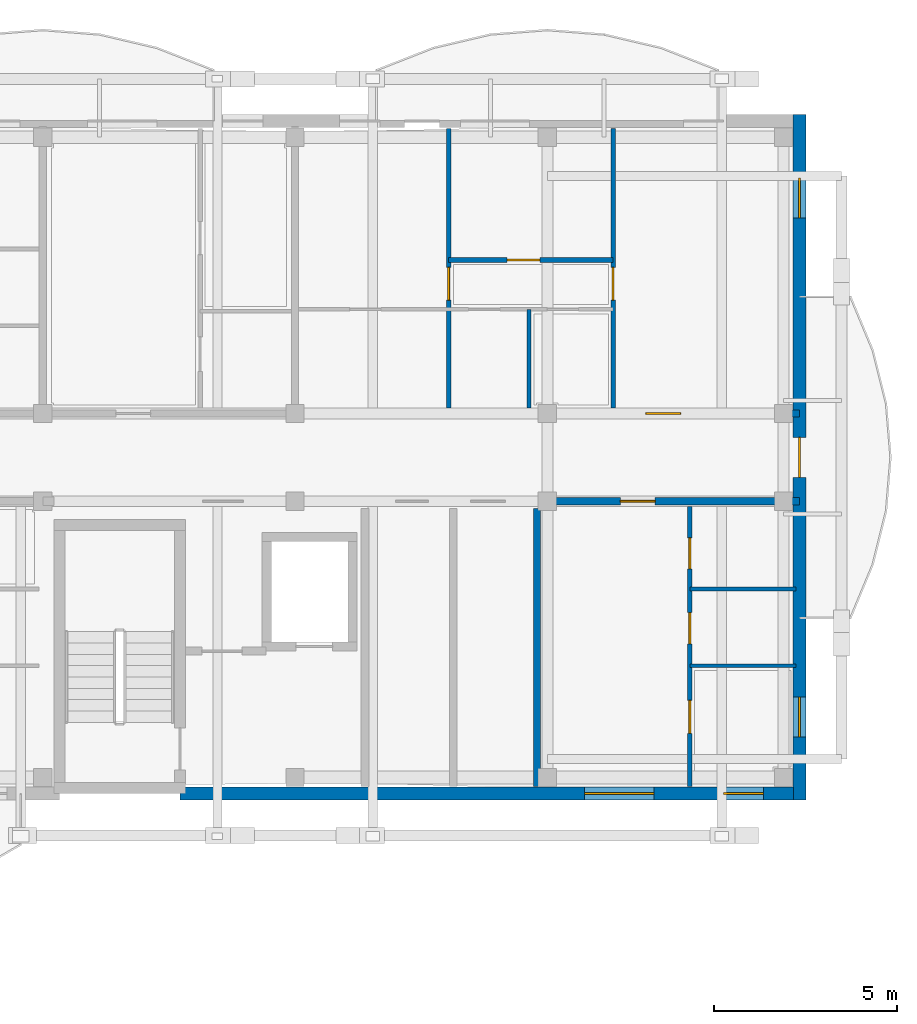
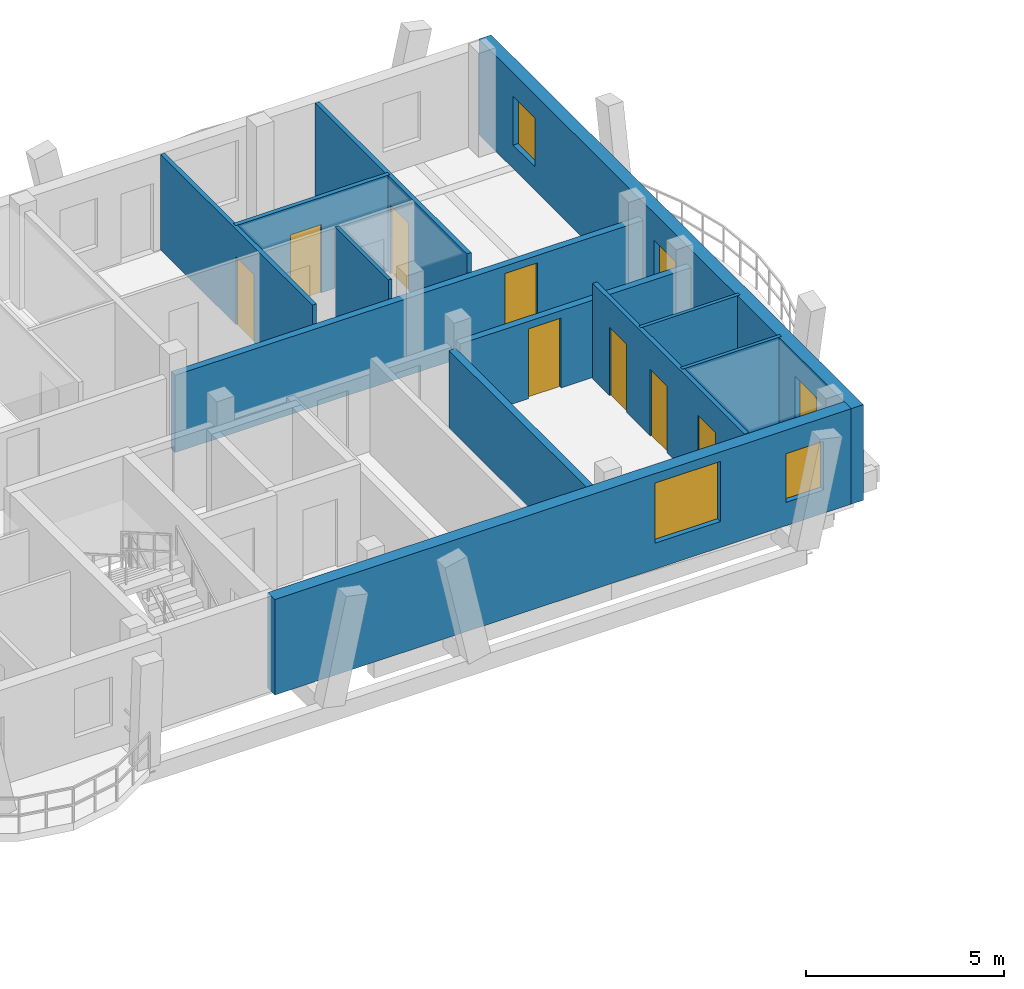
# One storey, part 37 of 50: 12 walls, 9 doors, 4 windows, 13 openings.
"""IFC4 building model written with IfcOpenShell, lengths in metres."""

from ifc_helpers import new_model, si_unit, direction, frame, frame_2d, origin, origin_with_axes, place, context, subcontext, project, spatial, rectangle, extrude, material, layer, layer_set, type_object, element, fill, save


model = new_model("IFC4")

# Units and contexts
model_context = context("Model", 3, precision=1e-05, world=origin(), true_north=direction((0.0, 1.0)))
body_context = subcontext(model_context, "Body", "Model", "MODEL_VIEW")
ifc_project = project(units=[si_unit("LENGTHUNIT", "METRE"), si_unit("AREAUNIT", "SQUARE_METRE"), si_unit("VOLUMEUNIT", "CUBIC_METRE"), si_unit("PLANEANGLEUNIT", "RADIAN"), si_unit("MASSUNIT", "GRAM", prefix="KILO")], contexts=[model_context])

# Site, building, storey
site_placement = place(None, origin())
site = spatial("IfcSite", under=ifc_project, at=site_placement, CompositionType="ELEMENT")
building_placement = place(site_placement, origin())
building = spatial("IfcBuilding", under=site, at=building_placement, Name="Zavelmont Quarter", CompositionType="ELEMENT")
storey_placement = place(building_placement, frame((0.0, 0.0, 11.199951171875)))
storey = spatial("IfcBuildingStorey", under=building, at=storey_placement, Name="L03", CompositionType="ELEMENT", Elevation=11.199951171875)

# Wall, openings, windows
ifc_material_1 = material(Name="Natural Belgian limestone", Category="masonry")
ifc_layer_1 = layer(ifc_material_1, 0.360107421875)
ifc_layer_set_1 = layer_set([ifc_layer_1], Name="Natural Belgian limestone")
wall_type_1 = type_object("IfcWallType", Name="EW02", PredefinedType="STANDARD", material=ifc_layer_set_1)
wall_1_placement = place(storey_placement, frame((151.050048828125, 97.60009765625, 0.0), z_axis=(0.0, 0.0, 1.0), x_axis=(1.0, 0.0, 0.0)))
wall_1 = element("IfcWall", 1, at=wall_1_placement, inside=storey, type_object=wall_type_1, Name="L03 exterior limestone wall EW02", PredefinedType="STANDARD", context=body_context, shape_type="SweptSolid", body=[
    extrude(rectangle(XDim=16.780029296875, YDim=0.360107421875, at=frame_2d((8.39013671875, 0.0))), origin(), (0.0, 0.0, 1.0), 2.93994140625),
])
opening_1_placement = place(wall_1_placement, frame((11.070068359375, 0.0, 0.800048828125)))
opening_1 = element("IfcOpeningElement", 2, at=opening_1_placement, cuts=wall_1, Name="Opening WN20", PredefinedType="OPENING", context=body_context, shape_type="SweptSolid", body=[
    extrude(rectangle(XDim=1.89990234375, YDim=1.85009765625, at=frame_2d((0.949951171875, 0.925048828125))), frame((0.0, 0.19189453125, 0.0), z_axis=(0.0, -1.0, 0.0), x_axis=(1.0, 0.0, 0.0)), (0.0, 0.0, 1.0), 0.384033203125),
])
opening_2_placement = place(wall_1_placement, frame((14.8701171875, 0.0, 0.719970703125)))
opening_2 = element("IfcOpeningElement", 3, at=opening_2_placement, cuts=wall_1, Name="Opening WN09", PredefinedType="OPENING", context=body_context, shape_type="SweptSolid", body=[
    extrude(rectangle(XDim=1.10009765625, YDim=1.5, at=frame_2d((0.550048828125, 0.75))), frame((0.0, 0.19189453125, 0.0), z_axis=(0.0, -1.0, 0.0), x_axis=(1.0, 0.0, 0.0)), (0.0, 0.0, 1.0), 0.384033203125),
])
ifc_material_2 = material(Name="Double low-E insulated glazing in thermally broken aluminium frame", Category="aluminium")
window_type_1 = type_object("IfcWindowType", Name="WN09", PartitioningType="SINGLE_PANEL", PredefinedType="WINDOW", material=ifc_material_2)
window_1_placement = place(opening_2_placement, origin_with_axes())
window_1 = element("IfcWindow", 4, at=window_1_placement, inside=storey, type_object=window_type_1, Name="L03 window WN09", OverallHeight=1.5, OverallWidth=1.10009765625, PartitioningType="SINGLE_PANEL", PredefinedType="WINDOW", context=body_context, shape_type="SweptSolid", body=[
    extrude(rectangle(XDim=1.10009765625, YDim=1.5, at=frame_2d((0.550048828125, 0.75))), frame((0.0, 0.030029296875, 0.0), z_axis=(0.0, -1.0, 0.0), x_axis=(1.0, 0.0, 0.0)), (0.0, 0.0, 1.0), 0.06005859375),
])
fill(opening_2, window_1)
window_type_2 = type_object("IfcWindowType", Name="WN20", PartitioningType="SINGLE_PANEL", PredefinedType="WINDOW", material=ifc_material_2)
window_2_placement = place(opening_1_placement, origin_with_axes())
window_2 = element("IfcWindow", 5, at=window_2_placement, inside=storey, type_object=window_type_2, Name="L03 window WN20", OverallHeight=1.85009765625, OverallWidth=1.89990234375, PartitioningType="SINGLE_PANEL", PredefinedType="WINDOW", context=body_context, shape_type="SweptSolid", body=[
    extrude(rectangle(XDim=1.89990234375, YDim=1.85009765625, at=frame_2d((0.949951171875, 0.925048828125))), frame((0.0, 0.030029296875, 0.0), z_axis=(0.0, -1.0, 0.0), x_axis=(1.0, 0.0, 0.0)), (0.0, 0.0, 1.0), 0.06005859375),
])
fill(opening_1, window_2)

# Wall, openings, door, windows
wall_2_placement = place(storey_placement, frame((168.0, 97.419921875, 0.0), z_axis=(0.0, 0.0, 1.0), x_axis=(0.0, 1.0, 0.0)))
wall_2 = element("IfcWall", 6, at=wall_2_placement, inside=storey, type_object=wall_type_1, Name="L03 exterior limestone wall EW02", PredefinedType="STANDARD", context=body_context, shape_type="SweptSolid", body=[
    extrude(rectangle(XDim=18.760009765625, YDim=0.360107421875, at=frame_2d((9.3798828125, 0.0))), origin(), (0.0, 0.0, 1.0), 2.93994140625),
])
opening_3_placement = place(wall_2_placement, frame((8.830078125, 0.0, 0.0)))
opening_3 = element("IfcOpeningElement", 7, at=opening_3_placement, cuts=wall_2, Name="Opening DR04B", PredefinedType="OPENING", context=body_context, shape_type="SweptSolid", body=[
    extrude(rectangle(XDim=1.10009765625, YDim=2.10009765625, at=frame_2d((0.550048828125, 1.050048828125))), frame((0.0, 0.19189453125, 0.0), z_axis=(0.0, -1.0, 0.0), x_axis=(1.0, 0.0, 0.0)), (0.0, 0.0, 1.0), 0.384033203125),
])
opening_4_placement = place(wall_2_placement, frame((1.72998046875, 0.0, 0.719970703125)))
opening_4 = element("IfcOpeningElement", 8, at=opening_4_placement, cuts=wall_2, Name="Opening WN09", PredefinedType="OPENING", context=body_context, shape_type="SweptSolid", body=[
    extrude(rectangle(XDim=1.10009765625, YDim=1.5, at=frame_2d((0.550048828125, 0.75))), frame((0.0, 0.19189453125, 0.0), z_axis=(0.0, -1.0, 0.0), x_axis=(1.0, 0.0, 0.0)), (0.0, 0.0, 1.0), 0.384033203125),
])
opening_5_placement = place(wall_2_placement, frame((15.929931640625, 0.0, 0.719970703125)))
opening_5 = element("IfcOpeningElement", 9, at=opening_5_placement, cuts=wall_2, Name="Opening WN09", PredefinedType="OPENING", context=body_context, shape_type="SweptSolid", body=[
    extrude(rectangle(XDim=1.10009765625, YDim=1.5, at=frame_2d((0.550048828125, 0.75))), frame((0.0, 0.19189453125, 0.0), z_axis=(0.0, -1.0, 0.0), x_axis=(1.0, 0.0, 0.0)), (0.0, 0.0, 1.0), 0.384033203125),
])
ifc_material_3 = material(Name="Thermally broken aluminium and double safety glass", Category="aluminium")
door_type_1 = type_object("IfcDoorType", Name="DR04B", OperationType="NOTDEFINED", PredefinedType="DOOR", material=ifc_material_3)
door_1_placement = place(opening_3_placement, origin_with_axes())
door_1 = element("IfcDoor", 10, at=door_1_placement, inside=storey, type_object=door_type_1, Name="Block C L03 terrace or vase balcony door", OperationType="SINGLE_SWING_LEFT", OverallHeight=2.10009765625, OverallWidth=1.10009765625, PredefinedType="DOOR", context=body_context, shape_type="SweptSolid", body=[
    extrude(rectangle(XDim=1.10009765625, YDim=2.10009765625, at=frame_2d((0.550048828125, 1.050048828125))), frame((0.0, 0.02490234375, 0.0), z_axis=(0.0, -1.0, 0.0), x_axis=(1.0, 0.0, 0.0)), (0.0, 0.0, 1.0), 0.050048828125),
])
fill(opening_3, door_1)
window_3_placement = place(opening_4_placement, origin_with_axes())
window_3 = element("IfcWindow", 11, at=window_3_placement, inside=storey, type_object=window_type_1, Name="L03 window WN09", OverallHeight=1.5, OverallWidth=1.10009765625, PartitioningType="SINGLE_PANEL", PredefinedType="WINDOW", context=body_context, shape_type="SweptSolid", body=[
    extrude(rectangle(XDim=1.10009765625, YDim=1.5, at=frame_2d((0.550048828125, 0.75))), frame((0.0, 0.030029296875, 0.0), z_axis=(0.0, -1.0, 0.0), x_axis=(1.0, 0.0, 0.0)), (0.0, 0.0, 1.0), 0.06005859375),
])
fill(opening_4, window_3)
window_4_placement = place(opening_5_placement, origin_with_axes())
window_4 = element("IfcWindow", 12, at=window_4_placement, inside=storey, type_object=window_type_1, Name="L03 window WN09", OverallHeight=1.5, OverallWidth=1.10009765625, PartitioningType="SINGLE_PANEL", PredefinedType="WINDOW", context=body_context, shape_type="SweptSolid", body=[
    extrude(rectangle(XDim=1.10009765625, YDim=1.5, at=frame_2d((0.550048828125, 0.75))), frame((0.0, 0.030029296875, 0.0), z_axis=(0.0, -1.0, 0.0), x_axis=(1.0, 0.0, 0.0)), (0.0, 0.0, 1.0), 0.06005859375),
])
fill(opening_5, window_4)

# Wall
ifc_material_4 = material(Name="Calcium-silicate blockwork and acoustic plaster", Category="masonry")
ifc_layer_2 = layer(ifc_material_4, 0.199951171875)
ifc_layer_set_2 = layer_set([ifc_layer_2], Name="Calcium-silicate blockwork and acoustic plaster")
wall_type_2 = type_object("IfcWallType", Name="IW01", PredefinedType="PARTITIONING", material=ifc_layer_set_2)
wall_3_placement = place(storey_placement, frame((160.820068359375, 97.800048828125, 0.0), z_axis=(0.0, 0.0, 1.0), x_axis=(0.0, 1.0, 0.0)))
element("IfcWall", 13, at=wall_3_placement, inside=storey, type_object=wall_type_2, Name="L03 Core service end wall IW01", PredefinedType="PARTITIONING", context=body_context, shape_type="SweptSolid", body=[
    extrude(rectangle(XDim=7.599853515625, YDim=0.199951171875, at=frame_2d((3.7998046875, 0.0))), origin(), (0.0, 0.0, 1.0), 2.380126953125),
])

# Wall, opening, door
wall_4_placement = place(storey_placement, frame((154.199951171875, 108.0, 0.0), z_axis=(0.0, 0.0, 1.0), x_axis=(1.0, 0.0, 0.0)))
wall_4 = element("IfcWall", 14, at=wall_4_placement, inside=storey, type_object=wall_type_2, Name="L03 Corridor compartment wall IW01", PredefinedType="PARTITIONING", context=body_context, shape_type="SweptSolid", body=[
    extrude(rectangle(XDim=13.800048828125, YDim=0.199951171875, at=frame_2d((6.89990234375, 0.0))), origin(), (0.0, 0.0, 1.0), 2.380126953125),
])
opening_6_placement = place(wall_4_placement, frame((9.60009765625, 0.0, 0.0)))
opening_6 = element("IfcOpeningElement", 15, at=opening_6_placement, cuts=wall_4, Name="Opening DR02", PredefinedType="OPENING", context=body_context, shape_type="SweptSolid", body=[
    extrude(rectangle(XDim=0.949951171875, YDim=2.14990234375, at=frame_2d((0.47509765625, 1.074951171875))), frame((0.0, 0.11181640625, 0.0), z_axis=(0.0, -1.0, 0.0), x_axis=(1.0, 0.0, 0.0)), (0.0, 0.0, 1.0), 0.223876953125),
])
ifc_material_5 = material(Name="Solid-core oak fire leaf in steel frame", Category="steel")
door_type_2 = type_object("IfcDoorType", Name="DR02", OperationType="NOTDEFINED", PredefinedType="DOOR", material=ifc_material_5)
door_2_placement = place(opening_6_placement, origin_with_axes())
door_2 = element("IfcDoor", 16, at=door_2_placement, inside=storey, type_object=door_type_2, Name="L03 door DR02", OperationType="SINGLE_SWING_LEFT", OverallHeight=2.14990234375, OverallWidth=0.949951171875, PredefinedType="DOOR", context=body_context, shape_type="SweptSolid", body=[
    extrude(rectangle(XDim=0.949951171875, YDim=2.14990234375, at=frame_2d((0.47509765625, 1.074951171875))), frame((0.0, 0.02490234375, 0.0), z_axis=(0.0, -1.0, 0.0), x_axis=(1.0, 0.0, 0.0)), (0.0, 0.0, 1.0), 0.050048828125),
])
fill(opening_6, door_2)

wall_5_placement = place(storey_placement, frame((161.10009765625, 105.60009765625, 0.0), z_axis=(0.0, 0.0, 1.0), x_axis=(1.0, 0.0, 0.0)))
wall_5 = element("IfcWall", 17, at=wall_5_placement, inside=storey, type_object=wall_type_2, Name="L03 Corridor compartment wall IW01", PredefinedType="PARTITIONING", context=body_context, shape_type="SweptSolid", body=[
    extrude(rectangle(XDim=6.89990234375, YDim=0.199951171875, at=frame_2d((3.449951171875, 0.0))), origin(), (0.0, 0.0, 1.0), 2.380126953125),
])
opening_7_placement = place(wall_5_placement, frame((2.0, 0.0, 0.0)))
opening_7 = element("IfcOpeningElement", 18, at=opening_7_placement, cuts=wall_5, Name="Opening DR02", PredefinedType="OPENING", context=body_context, shape_type="SweptSolid", body=[
    extrude(rectangle(XDim=0.949951171875, YDim=2.14990234375, at=frame_2d((0.47509765625, 1.074951171875))), frame((0.0, 0.11181640625, 0.0), z_axis=(0.0, -1.0, 0.0), x_axis=(1.0, 0.0, 0.0)), (0.0, 0.0, 1.0), 0.223876953125),
])
door_3_placement = place(opening_7_placement, frame((0.949951171875, 0.0, 0.0), z_axis=(0.0, 0.0, 1.0), x_axis=(-1.0, 0.0, 0.0)))
door_3 = element("IfcDoor", 19, at=door_3_placement, inside=storey, type_object=door_type_2, Name="L03 door DR02", OperationType="SINGLE_SWING_RIGHT", OverallHeight=2.14990234375, OverallWidth=0.949951171875, PredefinedType="DOOR", context=body_context, shape_type="SweptSolid", body=[
    extrude(rectangle(XDim=0.949951171875, YDim=2.14990234375, at=frame_2d((0.47509765625, 1.074951171875))), frame((0.0, 0.02490234375, 0.0), z_axis=(0.0, -1.0, 0.0), x_axis=(1.0, 0.0, 0.0)), (0.0, 0.0, 1.0), 0.050048828125),
])
fill(opening_7, door_3)

ifc_material_6 = material(Name="Double gypsum board on acoustic steel stud", Category="steel")
ifc_layer_3 = layer(ifc_material_6, 0.125)
ifc_layer_set_3 = layer_set([ifc_layer_3], Name="Double gypsum board on acoustic steel stud")
wall_type_3 = type_object("IfcWallType", Name="IW03", PredefinedType="PARTITIONING", material=ifc_layer_set_3)
wall_6_placement = place(storey_placement, frame((162.89990234375, 108.14990234375, 0.0), z_axis=(0.0, 0.0, 1.0), x_axis=(0.0, 1.0, 0.0)))
wall_6 = element("IfcWall", 20, at=wall_6_placement, inside=storey, type_object=wall_type_3, Name="L03 Partition IW03", PredefinedType="PARTITIONING", context=body_context, shape_type="SweptSolid", body=[
    extrude(rectangle(XDim=7.650146484375, YDim=0.125, at=frame_2d((3.8251953125, 0.0))), origin(), (0.0, 0.0, 1.0), 2.93994140625),
])
opening_8_placement = place(wall_6_placement, frame((2.949951171875, 0.0, 0.0)))
opening_8 = element("IfcOpeningElement", 21, at=opening_8_placement, cuts=wall_6, Name="Opening DR05", PredefinedType="OPENING", context=body_context, shape_type="SweptSolid", body=[
    extrude(rectangle(XDim=0.89990234375, YDim=2.10009765625, at=frame_2d((0.449951171875, 1.050048828125))), frame((0.0, 0.074462890625, 0.0), z_axis=(0.0, -1.0, 0.0), x_axis=(1.0, 0.0, 0.0)), (0.0, 0.0, 1.0), 0.14892578125),
])
ifc_material_7 = material(Name="Engineered oak flush interior door")
door_type_3 = type_object("IfcDoorType", Name="DR05", OperationType="NOTDEFINED", PredefinedType="DOOR", material=ifc_material_7)
door_4_placement = place(opening_8_placement, origin_with_axes())
door_4 = element("IfcDoor", 22, at=door_4_placement, inside=storey, type_object=door_type_3, Name="L03 door DR05", OperationType="SINGLE_SWING_LEFT", OverallHeight=2.10009765625, OverallWidth=0.89990234375, PredefinedType="DOOR", context=body_context, shape_type="SweptSolid", body=[
    extrude(rectangle(XDim=0.89990234375, YDim=2.10009765625, at=frame_2d((0.449951171875, 1.050048828125))), frame((0.0, 0.02490234375, 0.0), z_axis=(0.0, -1.0, 0.0), x_axis=(1.0, 0.0, 0.0)), (0.0, 0.0, 1.0), 0.050048828125),
])
fill(opening_8, door_4)

wall_7_placement = place(storey_placement, frame((158.39990234375, 108.14990234375, 0.0), z_axis=(0.0, 0.0, 1.0), x_axis=(0.0, 1.0, 0.0)))
wall_7 = element("IfcWall", 23, at=wall_7_placement, inside=storey, type_object=wall_type_3, Name="L03 Partition IW03", PredefinedType="PARTITIONING", context=body_context, shape_type="SweptSolid", body=[
    extrude(rectangle(XDim=7.650146484375, YDim=0.125, at=frame_2d((3.8251953125, 0.0))), origin(), (0.0, 0.0, 1.0), 2.93994140625),
])
opening_9_placement = place(wall_7_placement, frame((2.949951171875, 0.0, 0.0)))
opening_9 = element("IfcOpeningElement", 24, at=opening_9_placement, cuts=wall_7, Name="Opening DR05", PredefinedType="OPENING", context=body_context, shape_type="SweptSolid", body=[
    extrude(rectangle(XDim=0.89990234375, YDim=2.10009765625, at=frame_2d((0.449951171875, 1.050048828125))), frame((0.0, 0.074462890625, 0.0), z_axis=(0.0, -1.0, 0.0), x_axis=(1.0, 0.0, 0.0)), (0.0, 0.0, 1.0), 0.14892578125),
])
door_5_placement = place(opening_9_placement, frame((0.89990234375, 0.0, 0.0), z_axis=(0.0, 0.0, 1.0), x_axis=(-1.0, 0.0, 0.0)))
door_5 = element("IfcDoor", 25, at=door_5_placement, inside=storey, type_object=door_type_3, Name="L03 door DR05", OperationType="SINGLE_SWING_RIGHT", OverallHeight=2.10009765625, OverallWidth=0.89990234375, PredefinedType="DOOR", context=body_context, shape_type="SweptSolid", body=[
    extrude(rectangle(XDim=0.89990234375, YDim=2.10009765625, at=frame_2d((0.449951171875, 1.050048828125))), frame((0.0, 0.02490234375, 0.0), z_axis=(0.0, -1.0, 0.0), x_axis=(1.0, 0.0, 0.0)), (0.0, 0.0, 1.0), 0.050048828125),
])
fill(opening_9, door_5)

wall_8_placement = place(storey_placement, frame((158.39990234375, 112.199951171875, 0.0), z_axis=(0.0, 0.0, 1.0), x_axis=(1.0, 0.0, 0.0)))
wall_8 = element("IfcWall", 26, at=wall_8_placement, inside=storey, type_object=wall_type_3, Name="L03 Partition IW03", PredefinedType="PARTITIONING", context=body_context, shape_type="SweptSolid", body=[
    extrude(rectangle(XDim=4.5, YDim=0.125, at=frame_2d((2.25, 0.0))), origin(), (0.0, 0.0, 1.0), 2.93994140625),
])
opening_10_placement = place(wall_8_placement, frame((1.60009765625, 0.0, 0.0)))
opening_10 = element("IfcOpeningElement", 27, at=opening_10_placement, cuts=wall_8, Name="Opening DR05", PredefinedType="OPENING", context=body_context, shape_type="SweptSolid", body=[
    extrude(rectangle(XDim=0.89990234375, YDim=2.10009765625, at=frame_2d((0.449951171875, 1.050048828125))), frame((0.0, 0.074462890625, 0.0), z_axis=(0.0, -1.0, 0.0), x_axis=(1.0, 0.0, 0.0)), (0.0, 0.0, 1.0), 0.14892578125),
])
door_6_placement = place(opening_10_placement, frame((0.89990234375, 0.0, 0.0), z_axis=(0.0, 0.0, 1.0), x_axis=(-1.0, 0.0, 0.0)))
door_6 = element("IfcDoor", 28, at=door_6_placement, inside=storey, type_object=door_type_3, Name="L03 door DR05", OperationType="SINGLE_SWING_RIGHT", OverallHeight=2.10009765625, OverallWidth=0.89990234375, PredefinedType="DOOR", context=body_context, shape_type="SweptSolid", body=[
    extrude(rectangle(XDim=0.89990234375, YDim=2.10009765625, at=frame_2d((0.449951171875, 1.050048828125))), frame((0.0, 0.02490234375, 0.0), z_axis=(0.0, -1.0, 0.0), x_axis=(1.0, 0.0, 0.0)), (0.0, 0.0, 1.0), 0.050048828125),
])
fill(opening_10, door_6)

# Wall, openings, doors
wall_9_placement = place(storey_placement, frame((165.0, 105.449951171875, 0.0), z_axis=(0.0, 0.0, 1.0), x_axis=(0.0, -1.0, 0.0)))
wall_9 = element("IfcWall", 29, at=wall_9_placement, inside=storey, type_object=wall_type_3, Name="L03 Partition IW03", PredefinedType="PARTITIONING", context=body_context, shape_type="SweptSolid", body=[
    extrude(rectangle(XDim=7.64990234375, YDim=0.125, at=frame_2d((3.824951171875, 0.0))), origin(), (0.0, 0.0, 1.0), 2.93994140625),
])
opening_11_placement = place(wall_9_placement, frame((0.85009765625, 0.0, 0.0)))
opening_11 = element("IfcOpeningElement", 30, at=opening_11_placement, cuts=wall_9, Name="Opening DR16", PredefinedType="OPENING", context=body_context, shape_type="SweptSolid", body=[
    extrude(rectangle(XDim=0.85009765625, YDim=2.10009765625, at=frame_2d((0.425048828125, 1.050048828125))), frame((0.0, 0.074462890625, 0.0), z_axis=(0.0, -1.0, 0.0), x_axis=(1.0, 0.0, 0.0)), (0.0, 0.0, 1.0), 0.14892578125),
])
opening_12_placement = place(wall_9_placement, frame((2.89990234375, 0.0, 0.0)))
opening_12 = element("IfcOpeningElement", 31, at=opening_12_placement, cuts=wall_9, Name="Opening DR06", PredefinedType="OPENING", context=body_context, shape_type="SweptSolid", body=[
    extrude(rectangle(XDim=0.85009765625, YDim=2.050048828125, at=frame_2d((0.425048828125, 1.02490234375))), frame((0.0, 0.074462890625, 0.0), z_axis=(0.0, -1.0, 0.0), x_axis=(1.0, 0.0, 0.0)), (0.0, 0.0, 1.0), 0.14892578125),
])
opening_13_placement = place(wall_9_placement, frame((5.300048828125, 0.0, 0.0)))
opening_13 = element("IfcOpeningElement", 32, at=opening_13_placement, cuts=wall_9, Name="Opening DR05", PredefinedType="OPENING", context=body_context, shape_type="SweptSolid", body=[
    extrude(rectangle(XDim=0.89990234375, YDim=2.10009765625, at=frame_2d((0.449951171875, 1.050048828125))), frame((0.0, 0.074462890625, 0.0), z_axis=(0.0, -1.0, 0.0), x_axis=(1.0, 0.0, 0.0)), (0.0, 0.0, 1.0), 0.14892578125),
])
door_7_placement = place(opening_13_placement, frame((0.89990234375, 0.0, 0.0), z_axis=(0.0, 0.0, 1.0), x_axis=(-1.0, 0.0, 0.0)))
door_7 = element("IfcDoor", 33, at=door_7_placement, inside=storey, type_object=door_type_3, Name="L03 door DR05", OperationType="SINGLE_SWING_RIGHT", OverallHeight=2.10009765625, OverallWidth=0.89990234375, PredefinedType="DOOR", context=body_context, shape_type="SweptSolid", body=[
    extrude(rectangle(XDim=0.89990234375, YDim=2.10009765625, at=frame_2d((0.449951171875, 1.050048828125))), frame((0.0, 0.02490234375, 0.0), z_axis=(0.0, -1.0, 0.0), x_axis=(1.0, 0.0, 0.0)), (0.0, 0.0, 1.0), 0.050048828125),
])
fill(opening_13, door_7)
ifc_material_8 = material(Name="Moisture-resistant painted wet-room door")
door_type_4 = type_object("IfcDoorType", Name="DR06", OperationType="NOTDEFINED", PredefinedType="DOOR", material=ifc_material_8)
door_8_placement = place(opening_12_placement, origin_with_axes())
door_8 = element("IfcDoor", 34, at=door_8_placement, inside=storey, type_object=door_type_4, Name="L03 door DR06", OperationType="SINGLE_SWING_LEFT", OverallHeight=2.050048828125, OverallWidth=0.85009765625, PredefinedType="DOOR", context=body_context, shape_type="SweptSolid", body=[
    extrude(rectangle(XDim=0.85009765625, YDim=2.050048828125, at=frame_2d((0.425048828125, 1.02490234375))), frame((0.0, 0.02490234375, 0.0), z_axis=(0.0, -1.0, 0.0), x_axis=(1.0, 0.0, 0.0)), (0.0, 0.0, 1.0), 0.050048828125),
])
fill(opening_12, door_8)
door_type_5 = type_object("IfcDoorType", Name="DR16", OperationType="NOTDEFINED", PredefinedType="DOOR", material=ifc_material_7)
door_9_placement = place(opening_11_placement, frame((0.85009765625, 0.0, 0.0), z_axis=(0.0, 0.0, 1.0), x_axis=(-1.0, 0.0, 0.0)))
door_9 = element("IfcDoor", 35, at=door_9_placement, inside=storey, type_object=door_type_5, Name="L03 door DR16", OperationType="SINGLE_SWING_RIGHT", OverallHeight=2.10009765625, OverallWidth=0.85009765625, PredefinedType="DOOR", context=body_context, shape_type="SweptSolid", body=[
    extrude(rectangle(XDim=0.85009765625, YDim=2.10009765625, at=frame_2d((0.425048828125, 1.050048828125))), frame((0.0, 0.02490234375, 0.0), z_axis=(0.0, -1.0, 0.0), x_axis=(1.0, 0.0, 0.0)), (0.0, 0.0, 1.0), 0.050048828125),
])
fill(opening_11, door_9)

# Walls
ifc_material_9 = material(Name="Moisture-resistant gypsum board on steel stud", Category="steel")
ifc_layer_4 = layer(ifc_material_9, 0.10009765625)
ifc_layer_set_4 = layer_set([ifc_layer_4], Name="Moisture-resistant gypsum board on steel stud")
wall_type_4 = type_object("IfcWallType", Name="IW04", PredefinedType="PARTITIONING", material=ifc_layer_set_4)
wall_10_placement = place(storey_placement, frame((160.60009765625, 108.14990234375, 0.0), z_axis=(0.0, 0.0, 1.0), x_axis=(0.0, 1.0, 0.0)))
element("IfcWall", 36, at=wall_10_placement, inside=storey, type_object=wall_type_4, Name="L03 Partition IW04", PredefinedType="PARTITIONING", context=body_context, shape_type="SweptSolid", body=[
    extrude(rectangle(XDim=2.7001953125, YDim=0.10009765625, at=frame_2d((1.35009765625, 0.0))), origin(), (0.0, 0.0, 1.0), 2.93994140625),
])
for number, where, z_axis, x_axis, name in (
    (37, (165.0, 103.199951171875, 0.0), (0.0, 0.0, 1.0), (1.0, 0.0, 0.0), "L03 Partition IW04"),
    (38, (165.0, 101.10009765625, 0.0), (0.0, 0.0, 1.0), (1.0, 0.0, 0.0), "L03 Partition IW04"),
):
    element("IfcWall", number, at=place(storey_placement, frame(where, z_axis=z_axis, x_axis=x_axis)), inside=storey, type_object=wall_type_4, Name=name, PredefinedType="PARTITIONING", context=body_context, shape_type="SweptSolid", body=[
        extrude(rectangle(XDim=2.89990234375, YDim=0.10009765625, at=frame_2d((1.449951171875, 0.0))), origin(), (0.0, 0.0, 1.0), 2.93994140625),
    ])

save(model, "model.ifc")
